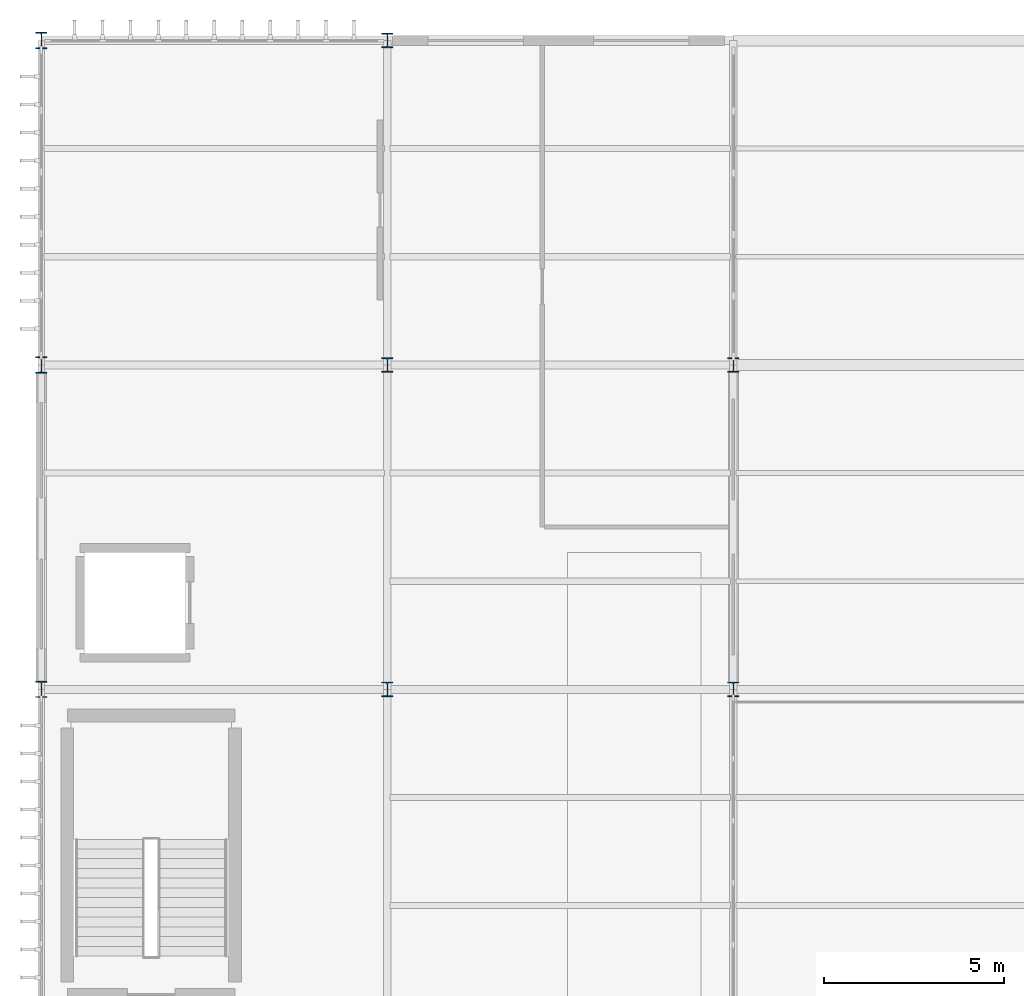
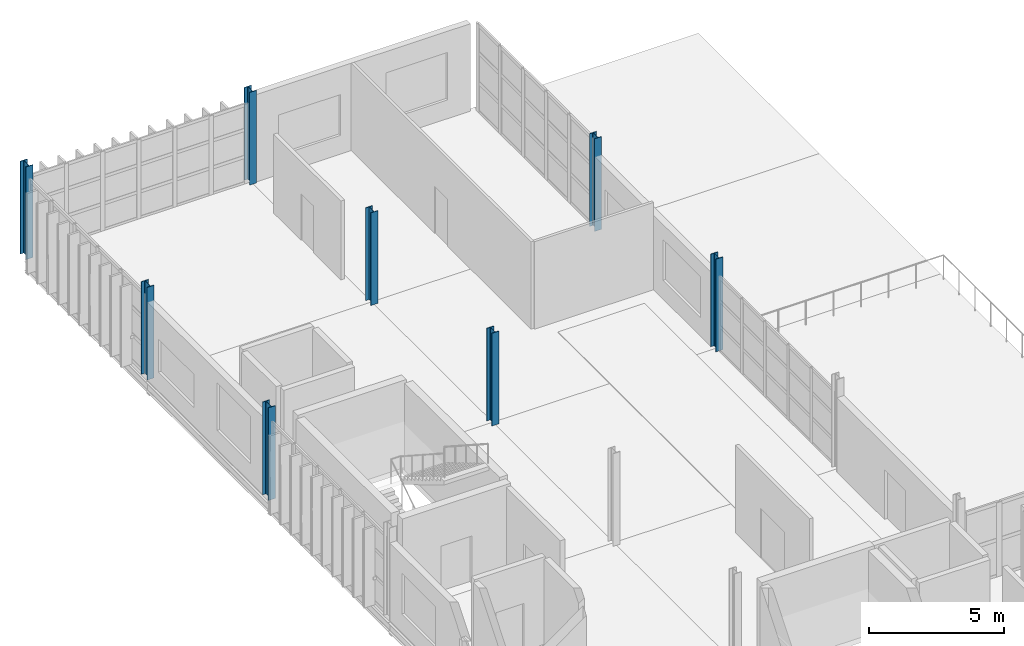
# One storey, part 3 of 38: 8 columns.
"""IFC4 building model written with IfcOpenShell, lengths in metres."""

from ifc_helpers import new_model, si_unit, direction, frame, origin, origin_2d, place, context, subcontext, project, spatial, i_section, extrude, material, material_profile, profile_set, type_object, element, save


model = new_model("IFC4")

# Units and contexts
model_context = context("Model", 3, precision=1e-05, world=origin(), true_north=direction((0.0, 1.0)))
body_context = subcontext(model_context, "Body", "Model", "MODEL_VIEW")
ifc_project = project(units=[si_unit("LENGTHUNIT", "METRE"), si_unit("AREAUNIT", "SQUARE_METRE"), si_unit("VOLUMEUNIT", "CUBIC_METRE"), si_unit("PLANEANGLEUNIT", "RADIAN"), si_unit("MASSUNIT", "GRAM", prefix="KILO")], contexts=[model_context])

# Site, building, storey
site_placement = place(None, origin())
site = spatial("IfcSite", under=ifc_project, at=site_placement, CompositionType="ELEMENT")
building_placement = place(site_placement, origin())
building = spatial("IfcBuilding", under=site, at=building_placement, Name="Zarnetskaya Central Station", CompositionType="ELEMENT")
storey_placement = place(building_placement, frame((0.0, 0.0, 18.60009765625)))
storey = spatial("IfcBuildingStorey", under=building, at=storey_placement, Name="L04", CompositionType="ELEMENT", Elevation=18.60009765625)

# Columns
ifc_material = material(Name="Steel S355", Category="steel")
ifc_material_profile_1 = material_profile(ifc_material, i_section(OverallWidth=0.300048828125, OverallDepth=0.449951171875, WebThickness=0.013916015625, FlangeThickness=0.02587890625, FilletRadius=0.027099609375, at=origin_2d()), Name="HEB 450")
ifc_profile_set_1 = profile_set([ifc_material_profile_1], Name="Steel S355")
column_type_1 = type_object("IfcColumnType", Name="COL-V5-TOP-E", PredefinedType="COLUMN", material=ifc_profile_set_1)
for number, where, z_axis, x_axis, name in (
    (1, (0.0, 40.199951171875, 0.0), (0.0, 0.0, 1.0), (1.0, 0.0, 0.0), "Column A6 L04"),
    (2, (0.0, 49.199951171875, 0.0), (0.0, 0.0, 1.0), (1.0, 0.0, 0.0), "Column A7 L04"),
    (3, (0.0, 58.199951171875, 0.0), (0.0, 0.0, 1.0), (1.0, 0.0, 0.0), "Column A8 L04"),
):
    element("IfcColumn", number, at=place(storey_placement, frame(where, z_axis=z_axis, x_axis=x_axis)), inside=storey, type_object=column_type_1, Name=name, PredefinedType="COLUMN", context=body_context, shape_type="SweptSolid", body=[
        extrude(i_section(OverallWidth=0.300048828125, OverallDepth=0.449951171875, WebThickness=0.013916015625, FlangeThickness=0.02587890625, FilletRadius=0.027099609375, at=origin_2d()), origin(), (0.0, 0.0, 1.0), 4.199951171875),
    ])
ifc_material_profile_2 = material_profile(ifc_material, i_section(OverallWidth=0.300048828125, OverallDepth=0.39990234375, WebThickness=0.013427734375, FlangeThickness=0.02392578125, FilletRadius=0.027099609375, at=origin_2d()), Name="HEB 400")
ifc_profile_set_2 = profile_set([ifc_material_profile_2], Name="Steel S355")
column_type_2 = type_object("IfcColumnType", Name="COL-V5-TOP-I", PredefinedType="COLUMN", material=ifc_profile_set_2)
for number, where, z_axis, x_axis, name in (
    (4, (9.60009765625, 40.199951171875, 0.0), (0.0, 0.0, 1.0), (1.0, 0.0, 0.0), "Column B6 L04"),
    (5, (9.60009765625, 49.199951171875, 0.0), (0.0, 0.0, 1.0), (1.0, 0.0, 0.0), "Column B7 L04"),
    (6, (9.60009765625, 58.199951171875, 0.0), (0.0, 0.0, 1.0), (1.0, 0.0, 0.0), "Column B8 L04"),
    (7, (19.199951171875, 40.199951171875, 0.0), (0.0, 0.0, 1.0), (1.0, 0.0, 0.0), "Column C6 L04"),
    (8, (19.199951171875, 49.199951171875, 0.0), (0.0, 0.0, 1.0), (1.0, 0.0, 0.0), "Column C7 L04"),
):
    element("IfcColumn", number, at=place(storey_placement, frame(where, z_axis=z_axis, x_axis=x_axis)), inside=storey, type_object=column_type_2, Name=name, PredefinedType="COLUMN", context=body_context, shape_type="SweptSolid", body=[
        extrude(i_section(OverallWidth=0.300048828125, OverallDepth=0.39990234375, WebThickness=0.013427734375, FlangeThickness=0.02392578125, FilletRadius=0.027099609375, at=origin_2d()), origin(), (0.0, 0.0, 1.0), 4.199951171875),
    ])

save(model, "model.ifc")
